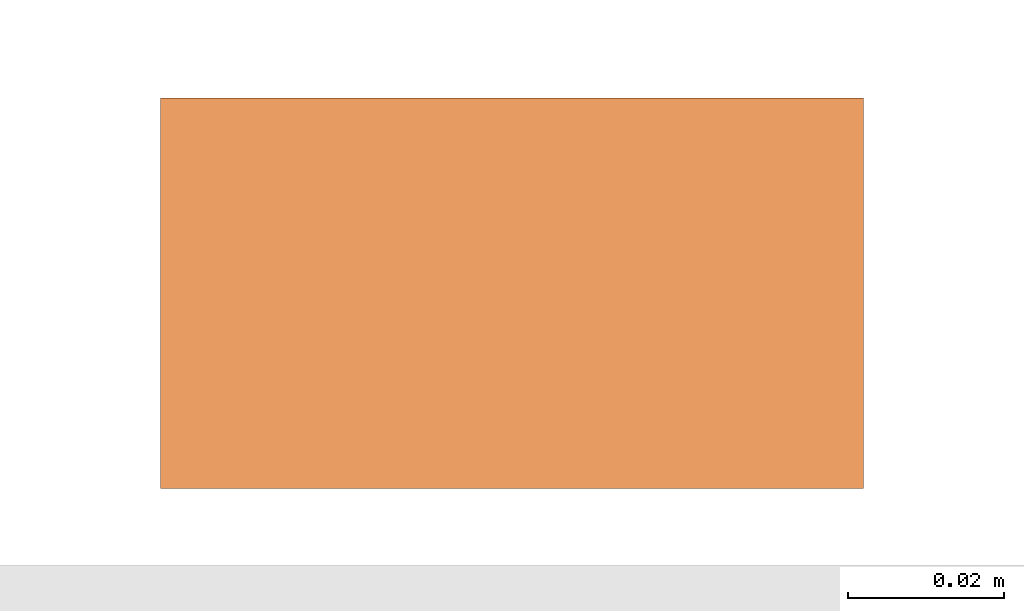
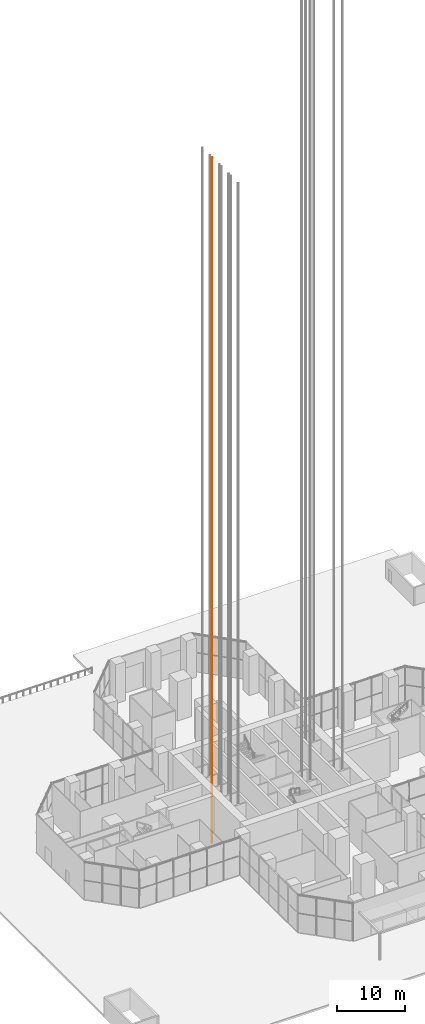
# One storey, part 35 of 43: 1 proxy.
"""IFC4 building model written with IfcOpenShell, lengths in metres."""

from ifc_helpers import new_model, si_unit, direction, frame, origin, origin_2d, place, context, subcontext, project, spatial, rectangle, extrude, material, element, save


model = new_model("IFC4")

# Units and contexts
model_context = context("Model", 3, precision=1e-05, world=origin(), true_north=direction((0.0, 1.0)))
body_context = subcontext(model_context, "Body", "Model", "MODEL_VIEW")
ifc_project = project(units=[si_unit("LENGTHUNIT", "METRE"), si_unit("AREAUNIT", "SQUARE_METRE"), si_unit("VOLUMEUNIT", "CUBIC_METRE"), si_unit("PLANEANGLEUNIT", "RADIAN"), si_unit("MASSUNIT", "GRAM", prefix="KILO")], contexts=[model_context])

# Site, building, storey
site_placement = place(None, origin())
site = spatial("IfcSite", under=ifc_project, at=site_placement, CompositionType="ELEMENT")
building_placement = place(site_placement, origin())
building = spatial("IfcBuilding", under=site, at=building_placement, Name="Mizan Broadcast Tower", CompositionType="ELEMENT")
storey_placement = place(building_placement, origin())
storey = spatial("IfcBuildingStorey", under=building, at=storey_placement, Name="L00", CompositionType="ELEMENT", Elevation=0.0)

# Proxy
ifc_material = material(Name="Steel guide rail", Category="steel")
proxy_placement = place(storey_placement, frame((-8.800048828125, 2.4599609375, -5.0), z_axis=(0.0, 0.0, 1.0), x_axis=(1.0, 0.0, 0.0)))
element("IfcBuildingElementProxy", 1, at=proxy_placement, inside=storey, material=ifc_material, Name="Guide rail LA3-2", PredefinedType="NOTDEFINED", context=body_context, shape_type="SweptSolid", body=[
    extrude(rectangle(XDim=0.090087890625, YDim=0.050048828125, at=origin_2d()), origin(), (0.0, 0.0, 1.0), 122.969970703125),
])

save(model, "model.ifc")
